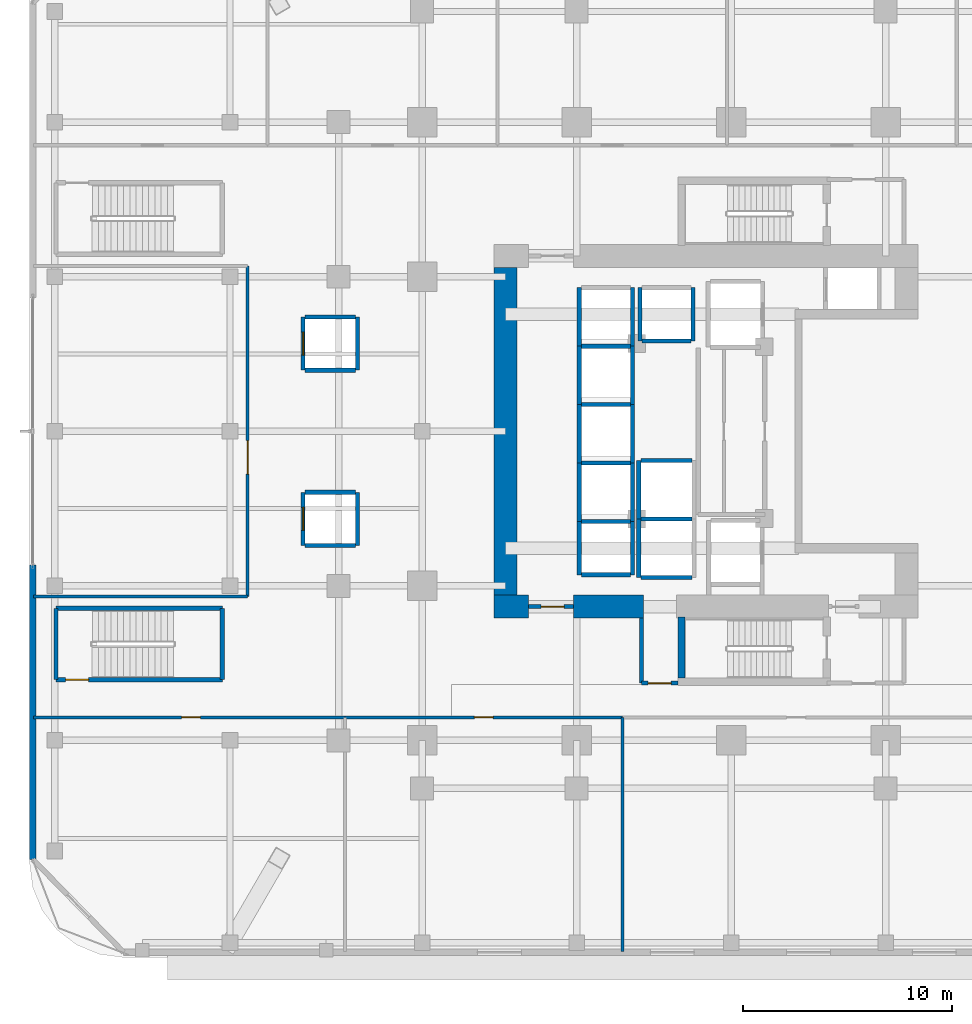
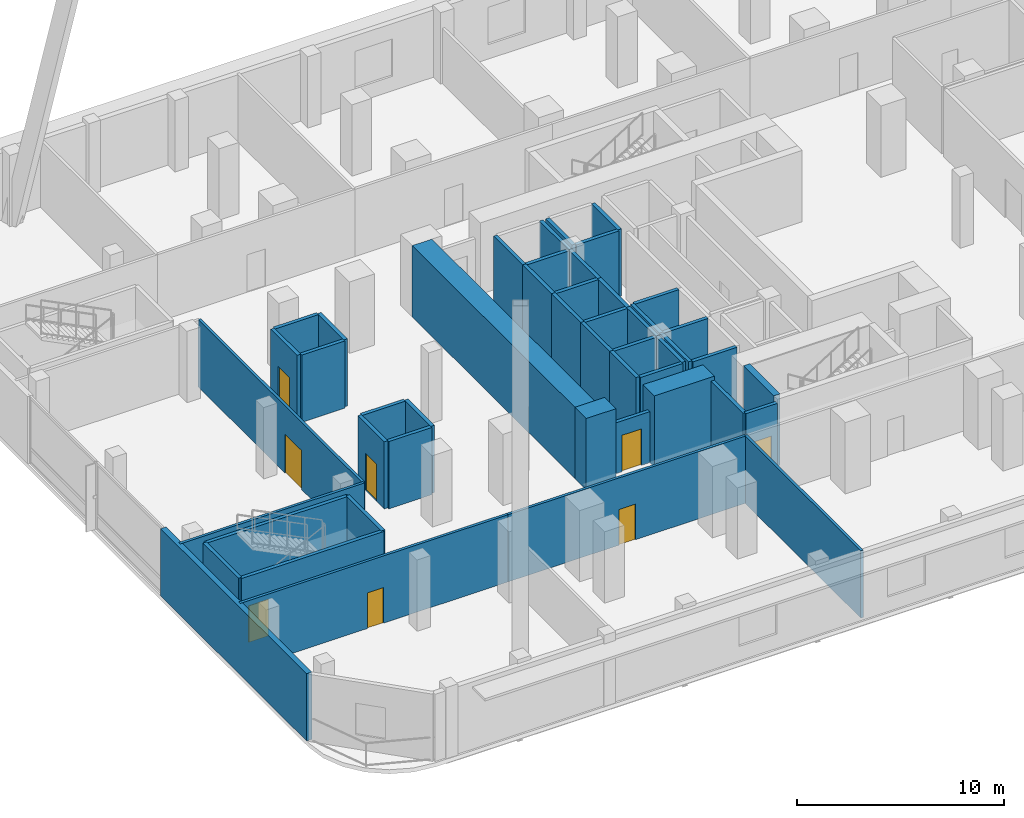
# One storey, part 8 of 19: 48 walls, 8 doors, 8 openings.
"""IFC4 building model written with IfcOpenShell, lengths in metres."""

from ifc_helpers import new_model, si_unit, direction, frame, frame_2d, origin, place, context, subcontext, project, spatial, rectangle, extrude, material, layer, layer_set, type_object, element, fill, save


model = new_model("IFC4")

# Units and contexts
model_context = context("Model", 3, precision=1e-05, world=origin(), true_north=direction((0.0, 1.0)))
body_context = subcontext(model_context, "Body", "Model", "MODEL_VIEW")
ifc_project = project(units=[si_unit("LENGTHUNIT", "METRE"), si_unit("AREAUNIT", "SQUARE_METRE"), si_unit("VOLUMEUNIT", "CUBIC_METRE"), si_unit("PLANEANGLEUNIT", "RADIAN"), si_unit("MASSUNIT", "GRAM", prefix="KILO")], contexts=[model_context])

# Site, building, storey
site_placement = place(None, origin())
site = spatial("IfcSite", under=ifc_project, at=site_placement, CompositionType="ELEMENT")
building_placement = place(site_placement, origin())
building = spatial("IfcBuilding", under=site, at=building_placement, Name="Khorvyn Point Tower", CompositionType="ELEMENT")
storey_placement = place(building_placement, frame((0.0, 0.0, 4.800048828125)))
storey = spatial("IfcBuildingStorey", under=building, at=storey_placement, Name="L02", CompositionType="ELEMENT", Elevation=4.800048828125)

# Wall, opening, door
ifc_material_1 = material(Name="Concrete C40/50", Category="concrete")
ifc_layer_1 = layer(ifc_material_1, 0.199951171875)
ifc_layer_set_1 = layer_set([ifc_layer_1], Name="Concrete C40/50 Fire-Lobby Compartment Wall 200")
wall_type_1 = type_object("IfcWallType", Name="Concrete C40/50 Fire-Lobby Compartment Wall 200", PredefinedType="SOLIDWALL", material=ifc_layer_set_1)
wall_1_placement = place(storey_placement, frame((-9.699951171875, -8.39990234375, 0.0), z_axis=(0.0, 0.0, 1.0), x_axis=(1.0, 0.0, 0.0)))
wall_1 = element("IfcWall", 1, at=wall_1_placement, inside=storey, type_object=wall_type_1, Name="Wall", PredefinedType="SOLIDWALL", context=body_context, shape_type="SweptSolid", body=[
    extrude(rectangle(XDim=2.14990234375, YDim=0.199951171875, at=frame_2d((1.074951171875, 0.0))), origin(), (0.0, 0.0, 1.0), 3.0),
])
opening_1_placement = place(wall_1_placement, frame((0.597900390625, 0.0, 0.0)))
opening_1 = element("IfcOpeningElement", 2, at=opening_1_placement, cuts=wall_1, Name="Opening ID-FL90", PredefinedType="OPENING", context=body_context, shape_type="SweptSolid", body=[
    extrude(rectangle(XDim=1.10009765625, YDim=2.14990234375, at=frame_2d((0.550048828125, 1.074951171875))), frame((0.0, 0.10986328125, 0.0), z_axis=(0.0, -1.0, 0.0), x_axis=(1.0, 0.0, 0.0)), (0.0, 0.0, 1.0), 0.219970703125),
])
ifc_material_2 = material(Name="Galvanised powder-coated steel", Category="steel")
door_type_1 = type_object("IfcDoorType", Name="Fire-Rated Steel Lobby and Stair Door 1100x2150", OperationType="NOTDEFINED", PredefinedType="DOOR", material=ifc_material_2)
door_1_placement = place(opening_1_placement, origin())
door_1 = element("IfcDoor", 3, at=door_1_placement, inside=storey, type_object=door_type_1, Name="Door", OperationType="SINGLE_SWING_LEFT", OverallHeight=2.14990234375, OverallWidth=1.10009765625, PredefinedType="DOOR", context=body_context, shape_type="SweptSolid", body=[
    extrude(rectangle(XDim=1.10009765625, YDim=2.14990234375, at=frame_2d((0.550048828125, 1.074951171875))), frame((0.0, 0.02490234375, 0.0), z_axis=(0.0, -1.0, 0.0), x_axis=(1.0, 0.0, 0.0)), (0.0, 0.0, 1.0), 0.050048828125),
])
fill(opening_1, door_1)

wall_2_placement = place(storey_placement, frame((-4.300048828125, -12.06005859375, 0.0), z_axis=(0.0, 0.0, 1.0), x_axis=(1.0, 0.0, 0.0)))
wall_2 = element("IfcWall", 4, at=wall_2_placement, inside=storey, type_object=wall_type_1, Name="Wall", PredefinedType="SOLIDWALL", context=body_context, shape_type="SweptSolid", body=[
    extrude(rectangle(XDim=1.75, YDim=0.199951171875, at=frame_2d((0.875, 0.0))), origin(), (0.0, 0.0, 1.0), 3.9599609375),
])
opening_2_placement = place(wall_2_placement, frame((0.324951171875, 0.0, 0.0)))
opening_2 = element("IfcOpeningElement", 5, at=opening_2_placement, cuts=wall_2, Name="Opening ID-FL90", PredefinedType="OPENING", context=body_context, shape_type="SweptSolid", body=[
    extrude(rectangle(XDim=1.10009765625, YDim=2.14990234375, at=frame_2d((0.550048828125, 1.074951171875))), frame((0.0, 0.10986328125, 0.0), z_axis=(0.0, -1.0, 0.0), x_axis=(1.0, 0.0, 0.0)), (0.0, 0.0, 1.0), 0.219970703125),
])
door_2_placement = place(opening_2_placement, origin())
door_2 = element("IfcDoor", 6, at=door_2_placement, inside=storey, type_object=door_type_1, Name="Door", OperationType="SINGLE_SWING_LEFT", OverallHeight=2.14990234375, OverallWidth=1.10009765625, PredefinedType="DOOR", context=body_context, shape_type="SweptSolid", body=[
    extrude(rectangle(XDim=1.10009765625, YDim=2.14990234375, at=frame_2d((0.550048828125, 1.074951171875))), frame((0.0, 0.02490234375, 0.0), z_axis=(0.0, -1.0, 0.0), x_axis=(1.0, 0.0, 0.0)), (0.0, 0.0, 1.0), 0.050048828125),
])
fill(opening_2, door_2)

# Walls
wall_3_placement = place(storey_placement, frame((-4.300048828125, -12.06005859375, 0.0), z_axis=(0.0, 0.0, 1.0), x_axis=(0.0, 1.0, 0.0)))
element("IfcWall", 7, at=wall_3_placement, inside=storey, type_object=wall_type_1, Name="Wall", PredefinedType="SOLIDWALL", context=body_context, shape_type="SweptSolid", body=[
    extrude(rectangle(XDim=3.110107421875, YDim=0.199951171875, at=frame_2d((1.55517578125, 0.0))), origin(), (0.0, 0.0, 1.0), 3.9599609375),
])
ifc_layer_2 = layer(ifc_material_1, 0.35009765625)
ifc_layer_set_2 = layer_set([ifc_layer_2], Name="Concrete C40/50 Stair Shaft Structural Wall 350")
wall_type_2 = type_object("IfcWallType", Name="Concrete C40/50 Stair Shaft Structural Wall 350", PredefinedType="SHEAR", material=ifc_layer_set_2)
wall_4_placement = place(storey_placement, frame((-2.3798828125, -11.824951171875, 0.0), z_axis=(0.0, 0.0, 1.0), x_axis=(0.0, 1.0, 0.0)))
element("IfcWall", 8, at=wall_4_placement, inside=storey, type_object=wall_type_2, Name="L02 ST-01 West Shaft Wall", PredefinedType="SHEAR", context=body_context, shape_type="SweptSolid", body=[
    extrude(rectangle(XDim=2.925048828125, YDim=0.35009765625, at=frame_2d((1.46240234375, 0.0))), origin(), (0.0, 0.0, 1.0), 4.199951171875),
])

# Wall, opening, door
ifc_layer_3 = layer(ifc_material_1, 0.199951171875)
ifc_layer_set_3 = layer_set([ifc_layer_3], Name="Concrete C40/50 Structural Hoistway and Stair Shaft Wall 200")
wall_type_3 = type_object("IfcWallType", Name="Concrete C40/50 Structural Hoistway and Stair Shaft Wall 200", PredefinedType="SHEAR", material=ifc_layer_set_3)
wall_5_placement = place(storey_placement, frame((-20.5, -5.47509765625, 0.0), z_axis=(0.0, 0.0, 1.0), x_axis=(0.0, 1.0, 0.0)))
wall_5 = element("IfcWall", 9, at=wall_5_placement, inside=storey, type_object=wall_type_3, Name="Wall", PredefinedType="SHEAR", context=body_context, shape_type="SweptSolid", body=[
    extrude(rectangle(XDim=2.550048828125, YDim=0.199951171875, at=frame_2d((1.27490234375, 0.0))), origin(), (0.0, 0.0, 1.0), 3.9599609375),
])
opening_3_placement = place(wall_5_placement, frame((0.72509765625, 0.0, 0.0)))
opening_3 = element("IfcOpeningElement", 10, at=opening_3_placement, cuts=wall_5, Name="Opening LD-1122", PredefinedType="OPENING", context=body_context, shape_type="SweptSolid", body=[
    extrude(rectangle(XDim=1.10009765625, YDim=2.199951171875, at=frame_2d((0.550048828125, 1.10009765625))), frame((0.0, 0.10986328125, 0.0), z_axis=(0.0, -1.0, 0.0), x_axis=(1.0, 0.0, 0.0)), (0.0, 0.0, 1.0), 0.219970703125),
])
ifc_material_3 = material(Name="Stainless steel 1.4301", Category="steel")
door_type_2 = type_object("IfcDoorType", Name="Stainless Steel Automatic Sliding Lift Landing Door 1100x2200", OperationType="SLIDING_TO_LEFT", PredefinedType="DOOR", material=ifc_material_3)
door_3_placement = place(opening_3_placement, origin())
door_3 = element("IfcDoor", 11, at=door_3_placement, inside=storey, type_object=door_type_2, Name="L02 SL-01 Sliding Lift Landing Door", OperationType="SLIDING_TO_LEFT", OverallHeight=2.199951171875, OverallWidth=1.10009765625, PredefinedType="DOOR", context=body_context, shape_type="SweptSolid", body=[
    extrude(rectangle(XDim=1.10009765625, YDim=2.199951171875, at=frame_2d((0.550048828125, 1.10009765625))), frame((0.0, 0.02490234375, 0.0), z_axis=(0.0, -1.0, 0.0), x_axis=(1.0, 0.0, 0.0)), (0.0, 0.0, 1.0), 0.050048828125),
])
fill(opening_3, door_3)

# Walls
wall_6_placement = place(storey_placement, frame((-17.89990234375, -5.47509765625, 0.0), z_axis=(0.0, 0.0, 1.0), x_axis=(0.0, 1.0, 0.0)))
element("IfcWall", 12, at=wall_6_placement, inside=storey, type_object=wall_type_3, Name="Wall", PredefinedType="SHEAR", context=body_context, shape_type="SweptSolid", body=[
    extrude(rectangle(XDim=2.550048828125, YDim=0.199951171875, at=frame_2d((1.27490234375, 0.0))), origin(), (0.0, 0.0, 1.0), 3.9599609375),
])
for number, where, z_axis, x_axis, name in (
    (13, (-20.39990234375, -5.47509765625, 0.0), (0.0, 0.0, 1.0), (1.0, 0.0, 0.0), "Wall"),
    (14, (-20.39990234375, -2.925048828125, 0.0), (0.0, 0.0, 1.0), (1.0, 0.0, 0.0), "Wall"),
):
    element("IfcWall", number, at=place(storey_placement, frame(where, z_axis=z_axis, x_axis=x_axis)), inside=storey, type_object=wall_type_3, Name=name, PredefinedType="SHEAR", context=body_context, shape_type="SweptSolid", body=[
        extrude(rectangle(XDim=2.39990234375, YDim=0.199951171875, at=frame_2d((1.199951171875, 0.0))), origin(), (0.0, 0.0, 1.0), 3.9599609375),
    ])

# Wall, opening, door
wall_7_placement = place(storey_placement, frame((-20.5, 2.925048828125, 0.0), z_axis=(0.0, 0.0, 1.0), x_axis=(0.0, 1.0, 0.0)))
wall_7 = element("IfcWall", 15, at=wall_7_placement, inside=storey, type_object=wall_type_3, Name="Wall", PredefinedType="SHEAR", context=body_context, shape_type="SweptSolid", body=[
    extrude(rectangle(XDim=2.550048828125, YDim=0.199951171875, at=frame_2d((1.27490234375, 0.0))), origin(), (0.0, 0.0, 1.0), 3.9599609375),
])
opening_4_placement = place(wall_7_placement, frame((0.72509765625, 0.0, 0.0)))
opening_4 = element("IfcOpeningElement", 16, at=opening_4_placement, cuts=wall_7, Name="Opening LD-1122", PredefinedType="OPENING", context=body_context, shape_type="SweptSolid", body=[
    extrude(rectangle(XDim=1.10009765625, YDim=2.199951171875, at=frame_2d((0.550048828125, 1.10009765625))), frame((0.0, 0.10986328125, 0.0), z_axis=(0.0, -1.0, 0.0), x_axis=(1.0, 0.0, 0.0)), (0.0, 0.0, 1.0), 0.219970703125),
])
door_4_placement = place(opening_4_placement, origin())
door_4 = element("IfcDoor", 17, at=door_4_placement, inside=storey, type_object=door_type_2, Name="L02 SL-02 Sliding Lift Landing Door", OperationType="SLIDING_TO_LEFT", OverallHeight=2.199951171875, OverallWidth=1.10009765625, PredefinedType="DOOR", context=body_context, shape_type="SweptSolid", body=[
    extrude(rectangle(XDim=1.10009765625, YDim=2.199951171875, at=frame_2d((0.550048828125, 1.10009765625))), frame((0.0, 0.02490234375, 0.0), z_axis=(0.0, -1.0, 0.0), x_axis=(1.0, 0.0, 0.0)), (0.0, 0.0, 1.0), 0.050048828125),
])
fill(opening_4, door_4)

# Walls
wall_8_placement = place(storey_placement, frame((-17.89990234375, 2.925048828125, 0.0), z_axis=(0.0, 0.0, 1.0), x_axis=(0.0, 1.0, 0.0)))
element("IfcWall", 18, at=wall_8_placement, inside=storey, type_object=wall_type_3, Name="Wall", PredefinedType="SHEAR", context=body_context, shape_type="SweptSolid", body=[
    extrude(rectangle(XDim=2.550048828125, YDim=0.199951171875, at=frame_2d((1.27490234375, 0.0))), origin(), (0.0, 0.0, 1.0), 3.9599609375),
])
for number, where, z_axis, x_axis, name in (
    (19, (-20.39990234375, 2.925048828125, 0.0), (0.0, 0.0, 1.0), (1.0, 0.0, 0.0), "Wall"),
    (20, (-20.39990234375, 5.47509765625, 0.0), (0.0, 0.0, 1.0), (1.0, 0.0, 0.0), "Wall"),
):
    element("IfcWall", number, at=place(storey_placement, frame(where, z_axis=z_axis, x_axis=x_axis)), inside=storey, type_object=wall_type_3, Name=name, PredefinedType="SHEAR", context=body_context, shape_type="SweptSolid", body=[
        extrude(rectangle(XDim=2.39990234375, YDim=0.199951171875, at=frame_2d((1.199951171875, 0.0))), origin(), (0.0, 0.0, 1.0), 3.9599609375),
    ])
for number, where, z_axis, x_axis, name in (
    (21, (-7.27490234375, -6.875, 0.0), (0.0, 0.0, 1.0), (0.0, 1.0, 0.0), "Wall"),
    (22, (-4.72509765625, -6.875, 0.0), (0.0, 0.0, 1.0), (0.0, 1.0, 0.0), "Wall"),
):
    element("IfcWall", number, at=place(storey_placement, frame(where, z_axis=z_axis, x_axis=x_axis)), inside=storey, type_object=wall_type_3, Name=name, PredefinedType="SHEAR", context=body_context, shape_type="SweptSolid", body=[
        extrude(rectangle(XDim=2.550048828125, YDim=0.199951171875, at=frame_2d((1.27490234375, 0.0))), origin(), (0.0, 0.0, 1.0), 3.9599609375),
    ])
for number, where, z_axis, x_axis, name in (
    (23, (-7.175048828125, -6.875, 0.0), (0.0, 0.0, 1.0), (1.0, 0.0, 0.0), "Wall"),
    (24, (-7.175048828125, -4.324951171875, 0.0), (0.0, 0.0, 1.0), (1.0, 0.0, 0.0), "Wall"),
):
    element("IfcWall", number, at=place(storey_placement, frame(where, z_axis=z_axis, x_axis=x_axis)), inside=storey, type_object=wall_type_3, Name=name, PredefinedType="SHEAR", context=body_context, shape_type="SweptSolid", body=[
        extrude(rectangle(XDim=2.35009765625, YDim=0.199951171875, at=frame_2d((1.175048828125, 0.0))), origin(), (0.0, 0.0, 1.0), 3.9599609375),
    ])
for number, where, z_axis, x_axis, name in (
    (25, (-7.27490234375, -4.324951171875, 0.0), (0.0, 0.0, 1.0), (0.0, 1.0, 0.0), "Wall"),
    (26, (-4.72509765625, -4.324951171875, 0.0), (0.0, 0.0, 1.0), (0.0, 1.0, 0.0), "Wall"),
):
    element("IfcWall", number, at=place(storey_placement, frame(where, z_axis=z_axis, x_axis=x_axis)), inside=storey, type_object=wall_type_3, Name=name, PredefinedType="SHEAR", context=body_context, shape_type="SweptSolid", body=[
        extrude(rectangle(XDim=2.800048828125, YDim=0.199951171875, at=frame_2d((1.39990234375, 0.0))), origin(), (0.0, 0.0, 1.0), 3.9599609375),
    ])
wall_9_placement = place(storey_placement, frame((-7.175048828125, -1.52490234375, 0.0), z_axis=(0.0, 0.0, 1.0), x_axis=(1.0, 0.0, 0.0)))
element("IfcWall", 27, at=wall_9_placement, inside=storey, type_object=wall_type_3, Name="Wall", PredefinedType="SHEAR", context=body_context, shape_type="SweptSolid", body=[
    extrude(rectangle(XDim=2.35009765625, YDim=0.199951171875, at=frame_2d((1.175048828125, 0.0))), origin(), (0.0, 0.0, 1.0), 3.9599609375),
])
for number, where, z_axis, x_axis, name in (
    (28, (-7.27490234375, -1.52490234375, 0.0), (0.0, 0.0, 1.0), (0.0, 1.0, 0.0), "Wall"),
    (29, (-4.72509765625, -1.52490234375, 0.0), (0.0, 0.0, 1.0), (0.0, 1.0, 0.0), "Wall"),
):
    element("IfcWall", number, at=place(storey_placement, frame(where, z_axis=z_axis, x_axis=x_axis)), inside=storey, type_object=wall_type_3, Name=name, PredefinedType="SHEAR", context=body_context, shape_type="SweptSolid", body=[
        extrude(rectangle(XDim=2.7998046875, YDim=0.199951171875, at=frame_2d((1.39990234375, 0.0))), origin(), (0.0, 0.0, 1.0), 3.9599609375),
    ])
wall_10_placement = place(storey_placement, frame((-7.175048828125, 1.27490234375, 0.0), z_axis=(0.0, 0.0, 1.0), x_axis=(1.0, 0.0, 0.0)))
element("IfcWall", 30, at=wall_10_placement, inside=storey, type_object=wall_type_3, Name="Wall", PredefinedType="SHEAR", context=body_context, shape_type="SweptSolid", body=[
    extrude(rectangle(XDim=2.35009765625, YDim=0.199951171875, at=frame_2d((1.175048828125, 0.0))), origin(), (0.0, 0.0, 1.0), 3.9599609375),
])
for number, where, z_axis, x_axis, name in (
    (31, (-7.27490234375, 1.27490234375, 0.0), (0.0, 0.0, 1.0), (0.0, 1.0, 0.0), "Wall"),
    (32, (-4.72509765625, 1.27490234375, 0.0), (0.0, 0.0, 1.0), (0.0, 1.0, 0.0), "Wall"),
):
    element("IfcWall", number, at=place(storey_placement, frame(where, z_axis=z_axis, x_axis=x_axis)), inside=storey, type_object=wall_type_3, Name=name, PredefinedType="SHEAR", context=body_context, shape_type="SweptSolid", body=[
        extrude(rectangle(XDim=2.800048828125, YDim=0.199951171875, at=frame_2d((1.39990234375, 0.0))), origin(), (0.0, 0.0, 1.0), 3.9599609375),
    ])
wall_11_placement = place(storey_placement, frame((-7.175048828125, 4.074951171875, 0.0), z_axis=(0.0, 0.0, 1.0), x_axis=(1.0, 0.0, 0.0)))
element("IfcWall", 33, at=wall_11_placement, inside=storey, type_object=wall_type_3, Name="Wall", PredefinedType="SHEAR", context=body_context, shape_type="SweptSolid", body=[
    extrude(rectangle(XDim=2.35009765625, YDim=0.199951171875, at=frame_2d((1.175048828125, 0.0))), origin(), (0.0, 0.0, 1.0), 3.9599609375),
])
for number, where, z_axis, x_axis, name in (
    (34, (-7.27490234375, 4.074951171875, 0.0), (0.0, 0.0, 1.0), (0.0, 1.0, 0.0), "Wall"),
    (35, (-4.72509765625, 4.074951171875, 0.0), (0.0, 0.0, 1.0), (0.0, 1.0, 0.0), "Wall"),
):
    element("IfcWall", number, at=place(storey_placement, frame(where, z_axis=z_axis, x_axis=x_axis)), inside=storey, type_object=wall_type_3, Name=name, PredefinedType="SHEAR", context=body_context, shape_type="SweptSolid", body=[
        extrude(rectangle(XDim=2.800048828125, YDim=0.199951171875, at=frame_2d((1.39990234375, 0.0))), origin(), (0.0, 0.0, 1.0), 3.9599609375),
    ])
for number, where, z_axis, x_axis, name in (
    (36, (-4.375, 4.324951171875, 0.0), (0.0, 0.0, 1.0), (0.0, 1.0, 0.0), "Wall"),
    (37, (-1.824951171875, 4.324951171875, 0.0), (0.0, 0.0, 1.0), (0.0, 1.0, 0.0), "Wall"),
):
    element("IfcWall", number, at=place(storey_placement, frame(where, z_axis=z_axis, x_axis=x_axis)), inside=storey, type_object=wall_type_3, Name=name, PredefinedType="SHEAR", context=body_context, shape_type="SweptSolid", body=[
        extrude(rectangle(XDim=2.550048828125, YDim=0.199951171875, at=frame_2d((1.27490234375, 0.0))), origin(), (0.0, 0.0, 1.0), 3.9599609375),
    ])
wall_12_placement = place(storey_placement, frame((-4.27490234375, 4.324951171875, 0.0), z_axis=(0.0, 0.0, 1.0), x_axis=(1.0, 0.0, 0.0)))
element("IfcWall", 38, at=wall_12_placement, inside=storey, type_object=wall_type_3, Name="Wall", PredefinedType="SHEAR", context=body_context, shape_type="SweptSolid", body=[
    extrude(rectangle(XDim=2.349853515625, YDim=0.199951171875, at=frame_2d((1.1748046875, 0.0))), origin(), (0.0, 0.0, 1.0), 3.9599609375),
])
wall_13_placement = place(storey_placement, frame((-4.425048828125, -7.0, 0.0), z_axis=(0.0, 0.0, 1.0), x_axis=(0.0, 1.0, 0.0)))
element("IfcWall", 39, at=wall_13_placement, inside=storey, type_object=wall_type_3, Name="Wall", PredefinedType="SHEAR", context=body_context, shape_type="SweptSolid", body=[
    extrude(rectangle(XDim=2.800048828125, YDim=0.199951171875, at=frame_2d((1.39990234375, 0.0))), origin(), (0.0, 0.0, 1.0), 3.9599609375),
])
for number, where, z_axis, x_axis, name in (
    (40, (-4.324951171875, -7.0, 0.0), (0.0, 0.0, 1.0), (1.0, 0.0, 0.0), "Wall"),
    (41, (-4.324951171875, -4.199951171875, 0.0), (0.0, 0.0, 1.0), (1.0, 0.0, 0.0), "Wall"),
):
    element("IfcWall", number, at=place(storey_placement, frame(where, z_axis=z_axis, x_axis=x_axis)), inside=storey, type_object=wall_type_3, Name=name, PredefinedType="SHEAR", context=body_context, shape_type="SweptSolid", body=[
        extrude(rectangle(XDim=2.449951171875, YDim=0.199951171875, at=frame_2d((1.22509765625, 0.0))), origin(), (0.0, 0.0, 1.0), 3.9599609375),
    ])
wall_14_placement = place(storey_placement, frame((-4.425048828125, -4.199951171875, 0.0), z_axis=(0.0, 0.0, 1.0), x_axis=(0.0, 1.0, 0.0)))
element("IfcWall", 42, at=wall_14_placement, inside=storey, type_object=wall_type_3, Name="Wall", PredefinedType="SHEAR", context=body_context, shape_type="SweptSolid", body=[
    extrude(rectangle(XDim=2.800048828125, YDim=0.199951171875, at=frame_2d((1.39990234375, 0.0))), origin(), (0.0, 0.0, 1.0), 3.9599609375),
])
wall_15_placement = place(storey_placement, frame((-4.324951171875, -1.39990234375, 0.0), z_axis=(0.0, 0.0, 1.0), x_axis=(1.0, 0.0, 0.0)))
element("IfcWall", 43, at=wall_15_placement, inside=storey, type_object=wall_type_3, Name="Wall", PredefinedType="SHEAR", context=body_context, shape_type="SweptSolid", body=[
    extrude(rectangle(XDim=2.449951171875, YDim=0.199951171875, at=frame_2d((1.22509765625, 0.0))), origin(), (0.0, 0.0, 1.0), 3.9599609375),
])
for number, where, z_axis, x_axis, name in (
    (44, (-32.330078125, -11.89990234375, 0.0), (0.0, 0.0, 1.0), (0.0, 1.0, 0.0), "Wall"),
    (45, (-24.3701171875, -8.47998046875, 0.0), (0.0, 0.0, 1.0), (0.0, -1.0, 0.0), "Wall"),
):
    element("IfcWall", number, at=place(storey_placement, frame(where, z_axis=z_axis, x_axis=x_axis)), inside=storey, type_object=wall_type_3, Name=name, PredefinedType="SHEAR", context=body_context, shape_type="SweptSolid", body=[
        extrude(rectangle(XDim=3.419921875, YDim=0.199951171875, at=frame_2d((1.7099609375, 0.0))), origin(), (0.0, 0.0, 1.0), 3.9599609375),
    ])

# Wall, opening, door
wall_16_placement = place(storey_placement, frame((-24.3701171875, -11.89990234375, 0.0), z_axis=(0.0, 0.0, 1.0), x_axis=(-1.0, 0.0, 0.0)))
wall_16 = element("IfcWall", 46, at=wall_16_placement, inside=storey, type_object=wall_type_3, Name="Wall", PredefinedType="SHEAR", context=body_context, shape_type="SweptSolid", body=[
    extrude(rectangle(XDim=7.9599609375, YDim=0.199951171875, at=frame_2d((3.97998046875, 0.0))), origin(), (0.0, 0.0, 1.0), 3.9599609375),
])
opening_5_placement = place(wall_16_placement, frame((6.39990234375, 0.0, 0.0)))
opening_5 = element("IfcOpeningElement", 47, at=opening_5_placement, cuts=wall_16, Name="Opening ID-FL90", PredefinedType="OPENING", context=body_context, shape_type="SweptSolid", body=[
    extrude(rectangle(XDim=1.10009765625, YDim=2.14990234375, at=frame_2d((0.550048828125, 1.074951171875))), frame((0.0, 0.10986328125, 0.0), z_axis=(0.0, -1.0, 0.0), x_axis=(1.0, 0.0, 0.0)), (0.0, 0.0, 1.0), 0.219970703125),
])
door_5_placement = place(opening_5_placement, origin())
door_5 = element("IfcDoor", 48, at=door_5_placement, inside=storey, type_object=door_type_1, Name="L02 ST-S1 Smokeproof Landing Door", OperationType="SINGLE_SWING_LEFT", OverallHeight=2.14990234375, OverallWidth=1.10009765625, PredefinedType="DOOR", context=body_context, shape_type="SweptSolid", body=[
    extrude(rectangle(XDim=1.10009765625, YDim=2.14990234375, at=frame_2d((0.550048828125, 1.074951171875))), frame((0.0, 0.02490234375, 0.0), z_axis=(0.0, -1.0, 0.0), x_axis=(1.0, 0.0, 0.0)), (0.0, 0.0, 1.0), 0.050048828125),
])
fill(opening_5, door_5)

# Walls
wall_17_placement = place(storey_placement, frame((-32.330078125, -8.47998046875, 0.0), z_axis=(0.0, 0.0, 1.0), x_axis=(1.0, 0.0, 0.0)))
element("IfcWall", 49, at=wall_17_placement, inside=storey, type_object=wall_type_3, Name="Wall", PredefinedType="SHEAR", context=body_context, shape_type="SweptSolid", body=[
    extrude(rectangle(XDim=7.9599609375, YDim=0.199951171875, at=frame_2d((3.97998046875, 0.0))), origin(), (0.0, 0.0, 1.0), 3.9599609375),
])
ifc_material_4 = material(Name="Concrete C50/60", Category="concrete")
ifc_layer_4 = layer(ifc_material_4, 1.10009765625)
ifc_layer_set_4 = layer_set([ifc_layer_4], Name="Concrete C50/60 Core Shear Wall 1100")
wall_type_4 = type_object("IfcWallType", Name="Concrete C50/60 Core Shear Wall 1100", PredefinedType="SHEAR", material=ifc_layer_set_4)
wall_18_placement = place(storey_placement, frame((-11.35009765625, -8.39990234375, 0.0), z_axis=(0.0, 0.0, 1.0), x_axis=(1.0, 0.0, 0.0)))
element("IfcWall", 50, at=wall_18_placement, inside=storey, type_object=wall_type_4, Name="Wall", PredefinedType="SHEAR", context=body_context, shape_type="SweptSolid", body=[
    extrude(rectangle(XDim=1.650146484375, YDim=1.10009765625, at=frame_2d((0.8251953125, 0.0))), origin(), (0.0, 0.0, 1.0), 4.199951171875),
])
wall_19_placement = place(storey_placement, frame((-7.550048828125, -8.39990234375, 0.0), z_axis=(0.0, 0.0, 1.0), x_axis=(1.0, 0.0, 0.0)))
element("IfcWall", 51, at=wall_19_placement, inside=storey, type_object=wall_type_4, Name="Wall", PredefinedType="SHEAR", context=body_context, shape_type="SweptSolid", body=[
    extrude(rectangle(XDim=3.35009765625, YDim=1.10009765625, at=frame_2d((1.675048828125, 0.0))), origin(), (0.0, 0.0, 1.0), 4.199951171875),
])
wall_20_placement = place(storey_placement, frame((-10.800048828125, -7.85009765625, 0.0), z_axis=(0.0, 0.0, 1.0), x_axis=(0.0, 1.0, 0.0)))
element("IfcWall", 52, at=wall_20_placement, inside=storey, type_object=wall_type_4, Name="Wall", PredefinedType="SHEAR", context=body_context, shape_type="SweptSolid", body=[
    extrude(rectangle(XDim=15.7001953125, YDim=1.10009765625, at=frame_2d((7.85009765625, 0.0))), origin(), (0.0, 0.0, 1.0), 4.199951171875),
])

# Wall, opening, door
ifc_material_5 = material(Name="Moisture-resistant gypsum and cement board", Category="gypsum")
ifc_layer_5 = layer(ifc_material_5, 0.14990234375)
ifc_layer_set_5 = layer_set([ifc_layer_5], Name="Moisture-Resistant Wet-Room Partition Wall 150")
wall_type_5 = type_object("IfcWallType", Name="Moisture-Resistant Wet-Room Partition Wall 150", PredefinedType="PARTITIONING", material=ifc_layer_set_5)
wall_21_placement = place(storey_placement, frame((-23.159912109375, -7.919921875, 0.0), z_axis=(0.0, 0.0, 1.0), x_axis=(0.0, 1.0, 0.0)))
wall_21 = element("IfcWall", 53, at=wall_21_placement, inside=storey, type_object=wall_type_5, Name="Wall", PredefinedType="PARTITIONING", context=body_context, shape_type="SweptSolid", body=[
    extrude(rectangle(XDim=15.83984375, YDim=0.14990234375, at=frame_2d((7.919921875, 0.0))), origin(), (0.0, 0.0, 1.0), 3.9599609375),
])
opening_6_placement = place(wall_21_placement, frame((5.870849609375, 0.0, 0.0)))
opening_6 = element("IfcOpeningElement", 54, at=opening_6_placement, cuts=wall_21, Name="Opening ID-LB30", PredefinedType="OPENING", context=body_context, shape_type="SweptSolid", body=[
    extrude(rectangle(XDim=1.60009765625, YDim=2.300048828125, at=frame_2d((0.800048828125, 1.14990234375))), frame((0.0, 0.0849609375, 0.0), z_axis=(0.0, -1.0, 0.0), x_axis=(1.0, 0.0, 0.0)), (0.0, 0.0, 1.0), 0.169921875),
])
ifc_material_6 = material(Name="Anodised aluminium 6063-T6 and tempered glass", Category="aluminium")
door_type_3 = type_object("IfcDoorType", Name="Glazed Aluminium Sky-Lobby Double Swing Door 1600x2300", OperationType="DOUBLE_DOOR_SINGLE_SWING", PredefinedType="DOOR", material=ifc_material_6)
door_6_placement = place(opening_6_placement, origin())
door_6 = element("IfcDoor", 55, at=door_6_placement, inside=storey, type_object=door_type_3, Name="Door", OperationType="SINGLE_SWING_LEFT", OverallHeight=2.300048828125, OverallWidth=1.60009765625, PredefinedType="DOOR", context=body_context, shape_type="SweptSolid", body=[
    extrude(rectangle(XDim=1.60009765625, YDim=2.300048828125, at=frame_2d((0.800048828125, 1.14990234375))), frame((0.0, 0.02490234375, 0.0), z_axis=(0.0, -1.0, 0.0), x_axis=(1.0, 0.0, 0.0)), (0.0, 0.0, 1.0), 0.050048828125),
])
fill(opening_6, door_6)

wall_22_placement = place(storey_placement, frame((-33.419921875, -13.699951171875, 0.0), z_axis=(0.0, 0.0, 1.0), x_axis=(1.0, 0.0, 0.0)))
wall_22 = element("IfcWall", 56, at=wall_22_placement, inside=storey, type_object=wall_type_5, Name="Wall", PredefinedType="PARTITIONING", context=body_context, shape_type="SweptSolid", body=[
    extrude(rectangle(XDim=14.919921875, YDim=0.14990234375, at=frame_2d((7.4599609375, 0.0))), origin(), (0.0, 0.0, 1.0), 3.9599609375),
])
opening_7_placement = place(wall_22_placement, frame((7.09912109375, 0.0, 0.0)))
opening_7 = element("IfcOpeningElement", 57, at=opening_7_placement, cuts=wall_22, Name="Opening ID-RM90", PredefinedType="OPENING", context=body_context, shape_type="SweptSolid", body=[
    extrude(rectangle(XDim=0.89990234375, YDim=2.10009765625, at=frame_2d((0.449951171875, 1.050048828125))), frame((0.0, 0.0849609375, 0.0), z_axis=(0.0, -1.0, 0.0), x_axis=(1.0, 0.0, 0.0)), (0.0, 0.0, 1.0), 0.169921875),
])
ifc_material_7 = material(Name="Engineered oak veneer timber", Category="wood")
door_type_4 = type_object("IfcDoorType", Name="Flush Engineered Timber Room Door 900x2100", OperationType="NOTDEFINED", PredefinedType="DOOR", material=ifc_material_7)
door_7_placement = place(opening_7_placement, origin())
door_7 = element("IfcDoor", 58, at=door_7_placement, inside=storey, type_object=door_type_4, Name="Door", OperationType="SINGLE_SWING_LEFT", OverallHeight=2.10009765625, OverallWidth=0.89990234375, PredefinedType="DOOR", context=body_context, shape_type="SweptSolid", body=[
    extrude(rectangle(XDim=0.89990234375, YDim=2.10009765625, at=frame_2d((0.449951171875, 1.050048828125))), frame((0.0, 0.02490234375, 0.0), z_axis=(0.0, -1.0, 0.0), x_axis=(1.0, 0.0, 0.0)), (0.0, 0.0, 1.0), 0.050048828125),
])
fill(opening_7, door_7)

wall_23_placement = place(storey_placement, frame((-18.5, -13.699951171875, 0.0), z_axis=(0.0, 0.0, 1.0), x_axis=(1.0, 0.0, 0.0)))
wall_23 = element("IfcWall", 59, at=wall_23_placement, inside=storey, type_object=wall_type_5, Name="Wall", PredefinedType="PARTITIONING", context=body_context, shape_type="SweptSolid", body=[
    extrude(rectangle(XDim=13.300048828125, YDim=0.14990234375, at=frame_2d((6.64990234375, 0.0))), origin(), (0.0, 0.0, 1.0), 3.9599609375),
])
opening_8_placement = place(wall_23_placement, frame((6.199951171875, 0.0, 0.0)))
opening_8 = element("IfcOpeningElement", 60, at=opening_8_placement, cuts=wall_23, Name="Opening ID-RM90", PredefinedType="OPENING", context=body_context, shape_type="SweptSolid", body=[
    extrude(rectangle(XDim=0.89990234375, YDim=2.10009765625, at=frame_2d((0.449951171875, 1.050048828125))), frame((0.0, 0.0849609375, 0.0), z_axis=(0.0, -1.0, 0.0), x_axis=(1.0, 0.0, 0.0)), (0.0, 0.0, 1.0), 0.169921875),
])
door_8_placement = place(opening_8_placement, origin())
door_8 = element("IfcDoor", 61, at=door_8_placement, inside=storey, type_object=door_type_4, Name="Door", OperationType="SINGLE_SWING_RIGHT", OverallHeight=2.10009765625, OverallWidth=0.89990234375, PredefinedType="DOOR", context=body_context, shape_type="SweptSolid", body=[
    extrude(rectangle(XDim=0.89990234375, YDim=2.10009765625, at=frame_2d((0.449951171875, 1.050048828125))), frame((0.0, 0.02490234375, 0.0), z_axis=(0.0, -1.0, 0.0), x_axis=(1.0, 0.0, 0.0)), (0.0, 0.0, 1.0), 0.050048828125),
])
fill(opening_8, door_8)

# Walls
wall_24_placement = place(storey_placement, frame((-33.419921875, -7.919921875, 0.0), z_axis=(0.0, 0.0, 1.0), x_axis=(1.0, 0.0, 0.0)))
element("IfcWall", 62, at=wall_24_placement, inside=storey, type_object=wall_type_5, Name="Wall", PredefinedType="PARTITIONING", context=body_context, shape_type="SweptSolid", body=[
    extrude(rectangle(XDim=10.260009765625, YDim=0.14990234375, at=frame_2d((5.1298828125, 0.0))), origin(), (0.0, 0.0, 1.0), 3.9599609375),
])
wall_25_placement = place(storey_placement, frame((-5.199951171875, -24.919921875, 0.0), z_axis=(0.0, 0.0, 1.0), x_axis=(0.0, 1.0, 0.0)))
element("IfcWall", 63, at=wall_25_placement, inside=storey, type_object=wall_type_5, Name="Wall", PredefinedType="PARTITIONING", context=body_context, shape_type="SweptSolid", body=[
    extrude(rectangle(XDim=11.219970703125, YDim=0.14990234375, at=frame_2d((5.60986328125, 0.0))), origin(), (0.0, 0.0, 1.0), 3.9599609375),
])
ifc_material_8 = material(Name="Precast concrete C35/45", Category="concrete")
ifc_layer_6 = layer(ifc_material_8, 0.300048828125)
ifc_layer_set_6 = layer_set([ifc_layer_6], Name="Precast Concrete C35/45 Insulated Podium Facade Wall 300")
wall_type_6 = type_object("IfcWallType", Name="Precast Concrete C35/45 Insulated Podium Facade Wall 300", PredefinedType="SOLIDWALL", material=ifc_layer_set_6)
wall_26_placement = place(storey_placement, frame((-33.449951171875, -20.5, 0.0), z_axis=(0.0, 0.0, 1.0), x_axis=(0.0, 1.0, 0.0)))
element("IfcWall", 64, at=wall_26_placement, inside=storey, type_object=wall_type_6, Name="Wall", PredefinedType="SOLIDWALL", context=body_context, shape_type="SweptSolid", body=[
    extrude(rectangle(XDim=14.090087890625, YDim=0.300048828125, at=frame_2d((7.044921875, 0.0))), origin(), (0.0, 0.0, 1.0), 3.9599609375),
])

save(model, "model.ifc")
